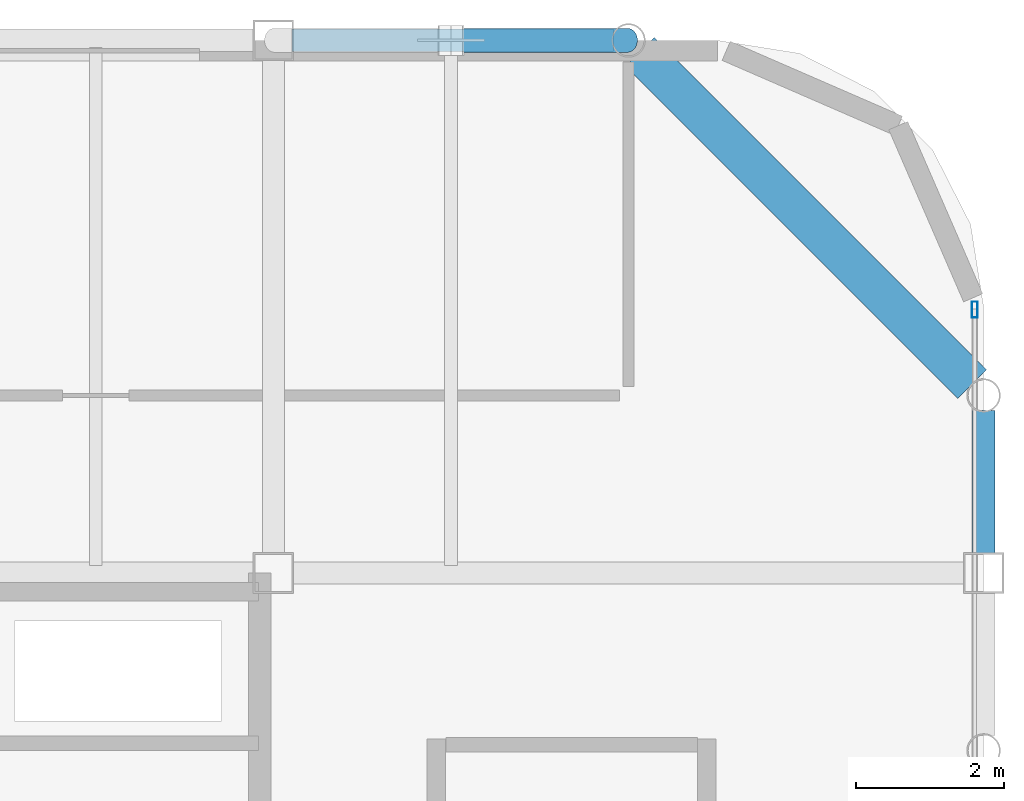
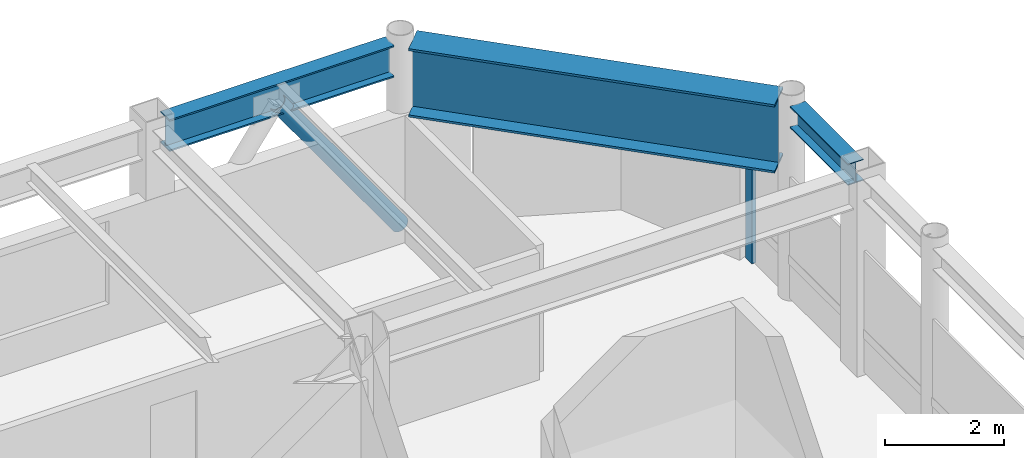
# One storey, part 15 of 21: 3 beams, 2 members, 1 element without a shape of its own.
"""IFC4 building model written with IfcOpenShell, lengths in metres."""

from ifc_helpers import new_model, si_unit, direction, frame, origin, origin_2d, place, context, subcontext, project, spatial, hollow_rectangle, hollow_circle, i_section, extrude, material, layer, layer_set, material_profile, profile_set, type_object, element, aggregate, save


model = new_model("IFC4")

# Units and contexts
model_context = context("Model", 3, precision=1e-05, world=origin(), true_north=direction((0.0, 1.0)))
body_context = subcontext(model_context, "Body", "Model", "MODEL_VIEW")
ifc_project = project(units=[si_unit("LENGTHUNIT", "METRE"), si_unit("AREAUNIT", "SQUARE_METRE"), si_unit("VOLUMEUNIT", "CUBIC_METRE"), si_unit("PLANEANGLEUNIT", "RADIAN"), si_unit("MASSUNIT", "GRAM", prefix="KILO")], contexts=[model_context])

# Site, building, storey
site_placement = place(None, origin())
site = spatial("IfcSite", under=ifc_project, at=site_placement, CompositionType="ELEMENT")
building_placement = place(site_placement, origin())
building = spatial("IfcBuilding", under=site, at=building_placement, Name="Kallvorn Hotel Tower", CompositionType="ELEMENT")
storey_placement = place(building_placement, frame((0.0, 0.0, 286.39990234375)))
storey = spatial("IfcBuildingStorey", under=building, at=storey_placement, Name="L71", CompositionType="ELEMENT", Elevation=286.39990234375)

# Beams
ifc_material_1 = material(Name="Structural steel S355JR", Category="steel")
ifc_material_profile_1 = material_profile(ifc_material_1, i_section(OverallWidth=0.300048828125, OverallDepth=0.43994140625, WebThickness=0.011474609375, FlangeThickness=0.02099609375, at=origin_2d()), Name="HE 450 A")
ifc_profile_set_1 = profile_set([ifc_material_profile_1], Name="Structural steel S355JR")
beam_type_1 = type_object("IfcBeamType", Name="BM_HE450A", PredefinedType="BEAM", material=ifc_profile_set_1)
beam_1_placement = place(storey_placement, frame((24.0, 7.449951171875, 3.780029296875), z_axis=(0.0, 1.0, 0.0), x_axis=(-1.0, 0.0, 0.0)))
element("IfcBeam", 1, at=beam_1_placement, inside=storey, type_object=beam_type_1, Name="L72 Primary Y-Girder 53", PredefinedType="BEAM", context=body_context, shape_type="SweptSolid", body=[
    extrude(i_section(OverallWidth=0.300048828125, OverallDepth=0.43994140625, WebThickness=0.011474609375, FlangeThickness=0.02099609375, at=origin_2d()), origin(), (0.0, 0.0, 1.0), 1.946533203125),
])
ifc_material_2 = material(Name="Structural steel S355JR", Category="steel")
ifc_material_profile_2 = material_profile(ifc_material_2, i_section(OverallWidth=0.300048828125, OverallDepth=0.64990234375, WebThickness=0.01611328125, FlangeThickness=0.031005859375, at=origin_2d()), Name="HE 650 B")
ifc_profile_set_2 = profile_set([ifc_material_profile_2], Name="Structural steel S355JR")
beam_type_2 = type_object("IfcBeamType", Name="BM_HE650B", PredefinedType="BEAM", material=ifc_profile_set_2)
beam_2_placement = place(storey_placement, frame((14.64990234375, 14.39990234375, 3.675048828125), z_axis=(1.0, 0.0, 0.0), x_axis=(0.0, 1.0, 0.0)))
element("IfcBeam", 2, at=beam_2_placement, inside=storey, type_object=beam_type_2, Name="L72 Primary X-Girder 24", PredefinedType="BEAM", context=body_context, shape_type="SweptSolid", body=[
    extrude(i_section(OverallWidth=0.300048828125, OverallDepth=0.64990234375, WebThickness=0.01611328125, FlangeThickness=0.031005859375, at=origin_2d()), origin(), (0.0, 0.0, 1.0), 4.3466796875),
])
ifc_material_3 = material(Name="Structural steel S355JR", Category="steel")
ifc_material_profile_3 = material_profile(ifc_material_3, i_section(OverallWidth=0.550048828125, OverallDepth=1.39990234375, WebThickness=0.02490234375, FlangeThickness=0.044921875, at=origin_2d()), Name="PG 1400x550x25x45")
ifc_profile_set_3 = profile_set([ifc_material_profile_3], Name="Structural steel S355JR")
beam_type_3 = type_object("IfcBeamType", Name="BM_PG_1400", PredefinedType="BEAM", material=ifc_profile_set_3)
beam_3_placement = place(storey_placement, frame((23.845458984375, 9.75439453125, 3.300048828125), z_axis=(-0.707087561367, 0.707126000484, 0.0), x_axis=(-0.707126000484, -0.707087561367, 0.0)))
element("IfcBeam", 3, at=beam_3_placement, inside=storey, type_object=beam_type_3, Name="L72 Rounded Corner Tie Beam 89", PredefinedType="BEAM", context=body_context, shape_type="SweptSolid", body=[
    extrude(i_section(OverallWidth=0.550048828125, OverallDepth=1.39990234375, WebThickness=0.02490234375, FlangeThickness=0.044921875, at=origin_2d()), origin(), (0.0, 0.0, 1.0), 6.351318359375),
])

# Curtain wall, member
ifc_material_4 = material(Name="Thermally broken black-anodised aluminium AA 6063-T6", Category="aluminium")
ifc_layer = layer(ifc_material_4, 0.25)
ifc_layer_set = layer_set([ifc_layer], Name="CW_SYS_6_SUMMIT_OBS")
curtain_wall_type = type_object("IfcCurtainWallType", Name="CW_SYS_6_SUMMIT_OBS", PredefinedType="USERDEFINED", material=ifc_layer_set)
curtain_wall_placement = place(storey_placement, origin())
curtain_wall = element("IfcCurtainWall", 4, at=curtain_wall_placement, inside=storey, type_object=curtain_wall_type, Name="L71 Dark-Glass Curtain Wall CW-L71-EN", ObjectType="UNITISED CURTAIN WALL", PredefinedType="USERDEFINED")
ifc_material_5 = material(Name="Thermally broken black-anodised aluminium AA 6063-T6", Category="aluminium")
ifc_material_profile_4 = material_profile(ifc_material_5, hollow_rectangle(XDim=0.080078125, YDim=0.219970703125, WallThickness=0.0048828125, at=origin_2d()), Name="MUL 220x80")
ifc_profile_set_4 = profile_set([ifc_material_profile_4], Name="Thermally broken black-anodised aluminium AA 6063-T6")
member_type_1 = type_object("IfcMemberType", Name="CW_MULLION_220x80", PredefinedType="MULLION", material=ifc_profile_set_4)
member_1_placement = place(storey_placement, frame((23.8798828125, 10.760009765625, 0.02001953125), z_axis=(0.0, 0.0, 1.0), x_axis=(1.0, 0.0, 0.0)))
member_1 = element("IfcMember", 5, at=member_1_placement, type_object=member_type_1, Name="CW-L71-EN Mullion 01", PredefinedType="MULLION", context=body_context, shape_type="SweptSolid", body=[
    extrude(hollow_rectangle(XDim=0.080078125, YDim=0.219970703125, WallThickness=0.0048828125, at=origin_2d()), origin(), (0.0, 0.0, 1.0), 2.56005859375),
])
aggregate(curtain_wall, [member_1])

# Member
ifc_material_6 = material(Name="Structural steel S355J2H", Category="steel")
ifc_material_profile_5 = material_profile(ifc_material_6, hollow_circle(Radius=0.161865234375, WallThickness=0.012451171875, at=origin_2d()), Name="CHS 323.9x12.5")
ifc_profile_set_5 = profile_set([ifc_material_profile_5], Name="Structural steel S355J2H")
member_type_2 = type_object("IfcMemberType", Name="MBR_EXO_CHS323", PredefinedType="BRACE", material=ifc_profile_set_5)
member_2_placement = place(storey_placement, frame((19.1884765625, 14.39990234375, 0.1962890625), z_axis=(-0.581277726734, 0.0, 0.813705231888), x_axis=(0.0, -1.0, 0.0)))
element("IfcMember", 6, at=member_2_placement, inside=storey, type_object=member_type_2, Name="L71 Exoskeleton K-Brace N2B", PredefinedType="BRACE", context=body_context, shape_type="SweptSolid", body=[
    extrude(hollow_circle(Radius=0.161865234375, WallThickness=0.012451171875, at=origin_2d()), origin(), (0.0, 0.0, 1.0), 4.089111328125),
])

save(model, "model.ifc")
